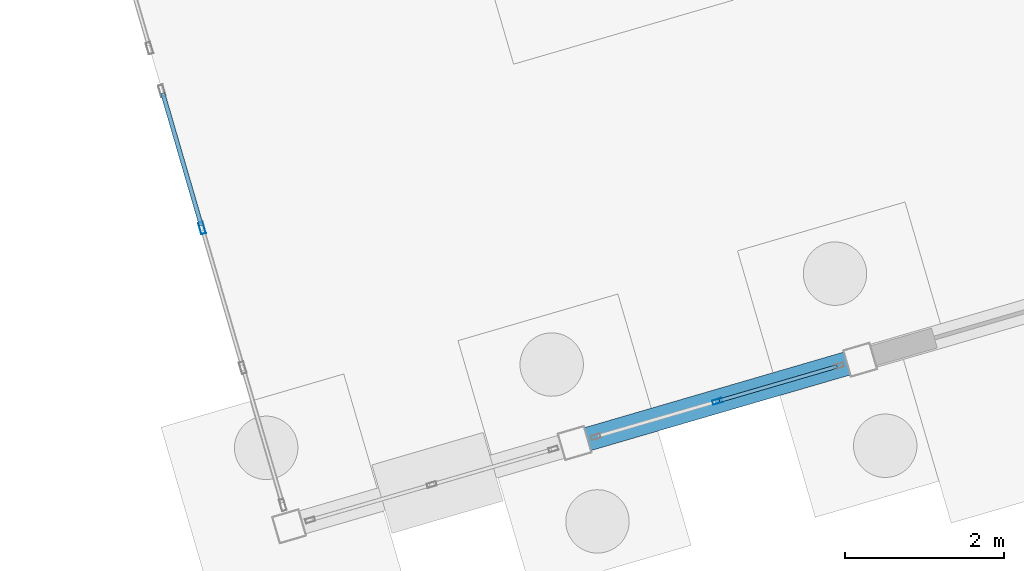
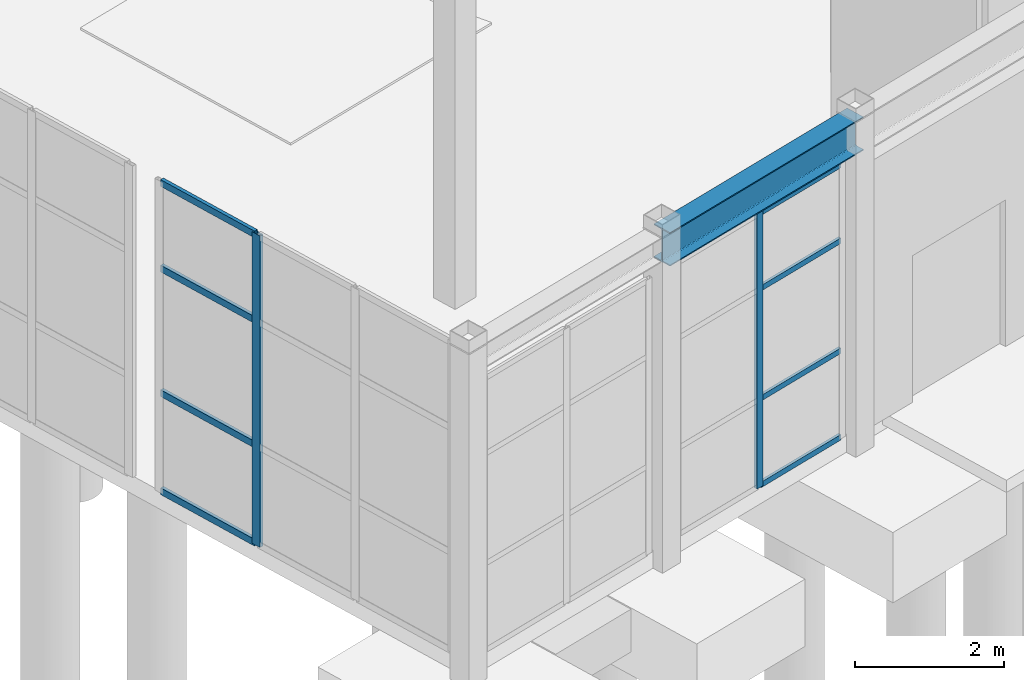
# One storey, part 26 of 90: 10 members, 1 beam, 2 elements without a shape of their own.
"""IFC4 building model written with IfcOpenShell, lengths in metres."""

import ifcopenshell
import ifcopenshell.guid

model = None  # the IFC model being written
_history = None  # IfcOwnerHistory: only IFC2X3 demands one
_inside = {}  # id of a spatial element -> (the spatial element, [elements in it])
_under = {}  # id of a project, library or spatial element -> (it, [spatial elements below it])
_declared = {}  # id of a project -> (the project, [libraries it declares])
_typed = {}  # id of a type object -> (the type object, [elements of that type])
_made_of = {}  # id of a material, layer set ... -> (it, [elements and type objects made of it])


def new_model(schema):
    """Start an empty IFC model of exactly this schema.

    Asked for "IFC4X3", IfcOpenShell would pick the latest addendum, in which some entities
    have other attributes; the version numbers below select the first issue.
    IFC2X3 requires an IfcOwnerHistory on every rooted entity: one is made here for all.
    """
    global model, _history
    if schema == "IFC4X3":
        model = ifcopenshell.file(schema_version=(4, 3, 0, 0))
    else:
        model = ifcopenshell.file(schema=schema)
    _inside.clear()
    _under.clear()
    _declared.clear()
    _typed.clear()
    _made_of.clear()
    _history = None
    if model.schema == "IFC2X3":
        org = make("IfcOrganization", Name="unknown")
        user = make(
            "IfcPersonAndOrganization",
            ThePerson=make("IfcPerson", FamilyName="unknown"),
            TheOrganization=org,
        )
        app = make(
            "IfcApplication",
            ApplicationDeveloper=org,
            Version="unknown",
            ApplicationFullName="unknown",
            ApplicationIdentifier="unknown",
        )
        _history = make(
            "IfcOwnerHistory",
            OwningUser=user,
            OwningApplication=app,
            ChangeAction="ADDED",
            CreationDate=0,
        )
    return model


def make(cls, **values):
    """One entity of the class cls with the attributes given. An attribute that is None is left unset."""
    return model.create_entity(
        cls, **{name: value for name, value in values.items() if value is not None}
    )


def rooted(cls, **values):
    """An entity with a GlobalId (a new one), such as an element, a storey or a relation."""
    return make(cls, GlobalId=ifcopenshell.guid.new(), OwnerHistory=_history, **values)


def si_unit(unit_type, name, prefix=None):
    """IfcSIUnit, for example si_unit("LENGTHUNIT", "METRE", prefix="MILLI")."""
    return make("IfcSIUnit", UnitType=unit_type, Prefix=prefix, Name=name)


def assignment(units):
    """IfcUnitAssignment: the units of a project."""
    return None if units is None else make("IfcUnitAssignment", Units=units)


def point(xyz):
    """IfcCartesianPoint."""
    return None if xyz is None else make("IfcCartesianPoint", Coordinates=xyz)


def direction(xyz):
    """IfcDirection."""
    return None if xyz is None else make("IfcDirection", DirectionRatios=xyz)


def frame(location, z_axis=None, x_axis=None):
    """IfcAxis2Placement3D, a coordinate frame: its origin and axes. An axis left out is left unset."""
    return make(
        "IfcAxis2Placement3D",
        Location=point(location),
        Axis=direction(z_axis),
        RefDirection=direction(x_axis),
    )


def frame_2d(location, x_axis=None):
    """IfcAxis2Placement2D, a coordinate frame in the plane: its origin and x axis."""
    return make(
        "IfcAxis2Placement2D", Location=point(location), RefDirection=direction(x_axis)
    )


def origin():
    """The frame at (0, 0, 0) with its axes left unset."""
    return frame((0.0, 0.0, 0.0))


def origin_2d():
    """The frame at (0, 0) in the plane with its x axis left unset."""
    return frame_2d((0.0, 0.0))


def place(relative_to, where):
    """IfcLocalPlacement: puts the frame where relative to a parent placement (None: the world)."""
    return make(
        "IfcLocalPlacement", PlacementRelTo=relative_to, RelativePlacement=where
    )


def context(
    kind, dimensions, precision=None, world=None, true_north=None, identifier=None
):
    """IfcGeometricRepresentationContext, for example the 3D "Model" context."""
    return make(
        "IfcGeometricRepresentationContext",
        ContextIdentifier=identifier,
        ContextType=kind,
        CoordinateSpaceDimension=dimensions,
        Precision=precision,
        WorldCoordinateSystem=world,
        TrueNorth=true_north,
    )


def subcontext(parent, identifier, kind, view, scale=None):
    """IfcGeometricRepresentationSubContext, for example "Body" below "Model"."""
    return make(
        "IfcGeometricRepresentationSubContext",
        ContextIdentifier=identifier,
        ContextType=kind,
        ParentContext=parent,
        TargetScale=scale,
        TargetView=view,
    )


def project(units=None, contexts=None):
    """IfcProject with its units and contexts."""
    return rooted(
        "IfcProject",
        Name="project",
        RepresentationContexts=contexts,
        UnitsInContext=assignment(units),
    )


def spatial(cls, under=None, at=None, **own):
    """A site, building, storey or space (cls), placed at a placement, below another one or the project."""
    s = rooted(cls, ObjectPlacement=at, **own)
    if under is not None:
        _under.setdefault(under.id(), (under, []))[1].append(s)
    return s


def profile(cls, at=None, kind="AREA", **sizes):
    """A parametric profile (cls). Its sizes go by their IFC names, for example OverallWidth=200.0."""
    return make(cls, ProfileType=kind, Position=at, **sizes)


def hollow_rectangle(**sizes):
    """IfcRectangleHollowProfileDef."""
    return profile("IfcRectangleHollowProfileDef", **sizes)


def i_section(**sizes):
    """IfcIShapeProfileDef."""
    return profile("IfcIShapeProfileDef", **sizes)


def extrude(swept, where, along, depth):
    """IfcExtrudedAreaSolid: the profile swept, set in the frame where, extruded along a direction by depth."""
    return make(
        "IfcExtrudedAreaSolid",
        SweptArea=swept,
        Position=where,
        ExtrudedDirection=direction(along),
        Depth=depth,
    )


def shape(context_of_items, identifier, shape_type, items):
    """IfcShapeRepresentation: the items that make up one representation, for example the "Body"."""
    return make(
        "IfcShapeRepresentation",
        ContextOfItems=context_of_items,
        RepresentationIdentifier=identifier,
        RepresentationType=shape_type,
        Items=items,
    )


def material(Name=None, Category=None):
    """IfcMaterial."""
    return make("IfcMaterial", Name=Name, Category=Category)


def layer(
    of_material, thickness, ventilated=None, Name=None, Category=None, Priority=None
):
    """IfcMaterialLayer: one layer of a wall or slab, of a material (None: an air gap)."""
    return make(
        "IfcMaterialLayer",
        Material=of_material,
        LayerThickness=thickness,
        IsVentilated=ventilated,
        Name=Name,
        Category=Category,
        Priority=Priority,
    )


def layer_set(layers, Name=None):
    """IfcMaterialLayerSet."""
    return make("IfcMaterialLayerSet", MaterialLayers=layers, LayerSetName=Name)


def material_profile(
    of_material, cross_section, Name=None, Category=None, Priority=None
):
    """IfcMaterialProfile: a cross section and its material."""
    return make(
        "IfcMaterialProfile",
        Name=Name,
        Material=of_material,
        Profile=cross_section,
        Priority=Priority,
        Category=Category,
    )


def profile_set(profiles, Name=None, composite=None):
    """IfcMaterialProfileSet."""
    return make(
        "IfcMaterialProfileSet",
        Name=Name,
        MaterialProfiles=profiles,
        CompositeProfile=composite,
    )


def made_of(thing, what):
    """Note that an element or type object is made of a material, layer set ...; save() writes the relation."""
    if what is not None:
        _made_of.setdefault(what.id(), (what, []))[1].append(thing)
    return thing


def type_object(cls, material=None, **own):
    """A type object (cls), such as IfcWallType, which elements share."""
    return made_of(rooted(cls, **own), material)


def element(
    cls,
    number,
    at=None,
    inside=None,
    cuts=None,
    type_object=None,
    material=None,
    context=None,
    identifier="Body",
    shape_type=None,
    held_by="IfcProductDefinitionShape",
    body=None,
    shapes=None,
    **own,
):
    """One element of the class cls, such as IfcWall. Its Tag is "e" and its number.

    at: its placement. inside: the storey or other place that contains it. cuts: it is an
    opening in that element (IfcRelVoidsElement). A single representation is given by context,
    identifier, shape_type and body (its items); several are given by shapes. held_by: the class
    of the entity that holds the representations. save() writes the other relations.
    """
    e = rooted(cls, Tag="e%d" % number, ObjectPlacement=at, **own)
    if body is not None:
        shapes = [shape(context, identifier, shape_type, body)]
    if shapes is not None:
        e.Representation = make(held_by, Representations=shapes)
    if inside is not None:
        _inside.setdefault(inside.id(), (inside, []))[1].append(e)
    if cuts is not None:
        rooted(
            "IfcRelVoidsElement", RelatingBuildingElement=cuts, RelatedOpeningElement=e
        )
    if type_object is not None:
        _typed.setdefault(type_object.id(), (type_object, []))[1].append(e)
    return made_of(e, material)


def aggregate(whole, parts):
    """IfcRelAggregates: a whole, such as a stair, and the parts it consists of."""
    return rooted("IfcRelAggregates", RelatingObject=whole, RelatedObjects=parts)


def save(model, path):
    """Write the relations noted so far, then the file.

    IfcRelAggregates (storeys below a building ...), IfcRelContainedInSpatialStructure (elements
    in a storey), IfcRelDefinesByType, IfcRelAssociatesMaterial and IfcRelDeclares: one each for
    every whole, place, type object, material and project.
    """
    for whole, parts in _under.values():
        aggregate(whole, parts)
    for where, things in _inside.values():
        rooted(
            "IfcRelContainedInSpatialStructure",
            RelatedElements=things,
            RelatingStructure=where,
        )
    for kind, things in _typed.values():
        rooted("IfcRelDefinesByType", RelatedObjects=things, RelatingType=kind)
    for what, things in _made_of.values():
        rooted("IfcRelAssociatesMaterial", RelatedObjects=things, RelatingMaterial=what)
    for by, libraries in _declared.values():
        rooted("IfcRelDeclares", RelatingContext=by, RelatedDefinitions=libraries)
    model.write(path)


model = new_model("IFC4")

# Units and contexts
model_context = context("Model", 3, precision=1e-05, world=origin(), true_north=direction((0.0, 1.0)))
body_context = subcontext(model_context, "Body", "Model", "MODEL_VIEW")
ifc_project = project(units=[si_unit("LENGTHUNIT", "METRE"), si_unit("AREAUNIT", "SQUARE_METRE"), si_unit("VOLUMEUNIT", "CUBIC_METRE"), si_unit("PLANEANGLEUNIT", "RADIAN"), si_unit("MASSUNIT", "GRAM", prefix="KILO")], contexts=[model_context])

# Site, building, storey
site_placement = place(None, origin())
site = spatial("IfcSite", under=ifc_project, at=site_placement, CompositionType="ELEMENT")
building_placement = place(site_placement, origin())
building = spatial("IfcBuilding", under=site, at=building_placement, Name="Canggui Botanical Conservatory", CompositionType="ELEMENT")
storey_placement = place(building_placement, origin())
storey = spatial("IfcBuildingStorey", under=building, at=storey_placement, Name="L01", CompositionType="ELEMENT", Elevation=0.0)

# Beam
ifc_material_1 = material(Name="Steel Q355B", Category="steel")
ifc_material_profile_1 = material_profile(ifc_material_1, i_section(OverallWidth=0.300048828125, OverallDepth=0.550048828125, WebThickness=0.010986328125, FlangeThickness=0.01806640625, FilletRadius=0.02392578125, at=origin_2d()), Name="HM 550x300x11x18")
ifc_profile_set_1 = profile_set([ifc_material_profile_1], Name="Steel Q355B")
beam_type = type_object("IfcBeamType", Name="BM-GL08", PredefinedType="BEAM", material=ifc_profile_set_1)
beam_placement = place(storey_placement, frame((23.60009765625, 43.050048828125, 4.89990234375), z_axis=(0.959993437014, 0.280022500685, 0.0), x_axis=(-0.280022500685, 0.959993437014, 0.0)))
element("IfcBeam", 1, at=beam_placement, inside=storey, type_object=beam_type, Name="Conservatory Skywalk Perimeter Girder V0-02", PredefinedType="BEAM", context=body_context, shape_type="SweptSolid", body=[
    extrude(i_section(OverallWidth=0.300048828125, OverallDepth=0.550048828125, WebThickness=0.010986328125, FlangeThickness=0.01806640625, FilletRadius=0.02392578125, at=origin_2d()), origin(), (0.0, 0.0, 1.0), 3.749755859375),
])

# Curtain wall, member
ifc_material_2 = material(Name="Thermally Broken Aluminium", Category="aluminium")
ifc_layer_1 = layer(ifc_material_2, 0.14990234375, Name="Thermally Broken Aluminium", Category="aluminium")
ifc_layer_set_1 = layer_set([ifc_layer_1], Name="Thermally Broken Aluminium")
curtain_wall_type_1 = type_object("IfcCurtainWallType", Name="CW-UNIT-C", PredefinedType="USERDEFINED", material=ifc_layer_set_1)
curtain_wall_1_placement = place(storey_placement, origin())
curtain_wall_1 = element("IfcCurtainWall", 2, at=curtain_wall_1_placement, inside=storey, type_object=curtain_wall_type_1, Name="Facade Curtain Wall CW-CONS-GABLE-S-01", ObjectType="UNITISED CURTAIN WALL", PredefinedType="USERDEFINED")
ifc_material_profile_2 = material_profile(ifc_material_2, hollow_rectangle(XDim=0.06005859375, YDim=0.14990234375, WallThickness=0.00341796875, at=origin_2d()), Name="CWM 60x150x3.5")
ifc_profile_set_2 = profile_set([ifc_material_profile_2], Name="Thermally Broken Aluminium")
member_type_1 = type_object("IfcMemberType", Name="CWM-03", PredefinedType="MULLION", material=ifc_profile_set_2)
member_1_placement = place(storey_placement, frame((18.9033203125, 45.760009765625, 0.0), z_axis=(0.0, 0.0, 1.0), x_axis=(-0.960000000002, -0.279999999995, 0.0)))
member_1 = element("IfcMember", 3, at=member_1_placement, type_object=member_type_1, Name="CW-03 mullion 3", PredefinedType="MULLION", context=body_context, shape_type="SweptSolid", body=[
    extrude(hollow_rectangle(XDim=0.06005859375, YDim=0.14990234375, WallThickness=0.00341796875, at=origin_2d()), origin(), (0.0, 0.0, 1.0), 5.10009765625),
])

ifc_layer_2 = layer(ifc_material_2, 0.1201171875, Name="Thermally Broken Aluminium", Category="aluminium")
ifc_layer_set_2 = layer_set([ifc_layer_2], Name="Thermally Broken Aluminium")
curtain_wall_type_2 = type_object("IfcCurtainWallType", Name="CW-STICK-B", PredefinedType="USERDEFINED", material=ifc_layer_set_2)
curtain_wall_2_placement = place(storey_placement, origin())
curtain_wall_2 = element("IfcCurtainWall", 4, at=curtain_wall_2_placement, inside=storey, type_object=curtain_wall_type_2, Name="Facade Curtain Wall CW-CONS-L01-V0-02", ObjectType="STICK GLAZED WALL", PredefinedType="USERDEFINED")
ifc_material_profile_3 = material_profile(ifc_material_2, hollow_rectangle(XDim=0.054931640625, YDim=0.1201171875, WallThickness=0.0029296875, at=origin_2d()), Name="CWM 55x120x3")
ifc_profile_set_3 = profile_set([ifc_material_profile_3], Name="Thermally Broken Aluminium")
member_type_2 = type_object("IfcMemberType", Name="CWM-05", PredefinedType="MULLION", material=ifc_profile_set_3)
member_2_placement = place(storey_placement, frame((25.39990234375, 43.574951171875, 0.0), z_axis=(0.0, 0.0, 1.0), x_axis=(0.279999999995, -0.960000000002, 0.0)))
member_2 = element("IfcMember", 5, at=member_2_placement, type_object=member_type_2, Name="CW-05 mullion 2", PredefinedType="MULLION", context=body_context, shape_type="SweptSolid", body=[
    extrude(hollow_rectangle(XDim=0.054931640625, YDim=0.1201171875, WallThickness=0.0029296875, at=origin_2d()), origin(), (0.0, 0.0, 1.0), 4.5),
])

# Member
ifc_material_profile_4 = material_profile(ifc_material_2, hollow_rectangle(XDim=0.054931640625, YDim=0.110107421875, WallThickness=0.0029296875, at=origin_2d()), Name="CWT 55x110x3")
ifc_profile_set_4 = profile_set([ifc_material_profile_4], Name="Thermally Broken Aluminium")
member_type_3 = type_object("IfcMemberType", Name="CWT-03", PredefinedType="USERDEFINED", material=ifc_profile_set_4)
member_3_placement = place(storey_placement, frame((18.89501953125, 45.788818359375, 0.027587890625), z_axis=(-0.280080662242, 0.959976469836, 0.0), x_axis=(-0.959976469836, -0.280080662242, 0.0)))
member_3 = element("IfcMember", 6, at=member_3_placement, type_object=member_type_3, Name="CW-03 transom 3.1", ObjectType="TRANSOM", PredefinedType="USERDEFINED", context=body_context, shape_type="SweptSolid", body=[
    extrude(hollow_rectangle(XDim=0.054931640625, YDim=0.110107421875, WallThickness=0.0029296875, at=origin_2d()), origin(), (0.0, 0.0, 1.0), 1.743408203125),
])

member_4_placement = place(storey_placement, frame((18.89501953125, 45.788818359375, 1.632080078125), z_axis=(-0.280080662242, 0.959976469836, 0.0), x_axis=(-0.959976469836, -0.280080662242, 0.0)))
member_4 = element("IfcMember", 7, at=member_4_placement, type_object=member_type_3, Name="CW-03 transom 3.2", ObjectType="TRANSOM", PredefinedType="USERDEFINED", context=body_context, shape_type="SweptSolid", body=[
    extrude(hollow_rectangle(XDim=0.054931640625, YDim=0.110107421875, WallThickness=0.0029296875, at=origin_2d()), origin(), (0.0, 0.0, 1.0), 1.743408203125),
])

member_5_placement = place(storey_placement, frame((18.89501953125, 45.788818359375, 3.672119140625), z_axis=(-0.280080662242, 0.959976469836, 0.0), x_axis=(-0.959976469836, -0.280080662242, 0.0)))
member_5 = element("IfcMember", 8, at=member_5_placement, type_object=member_type_3, Name="CW-03 transom 3.3", ObjectType="TRANSOM", PredefinedType="USERDEFINED", context=body_context, shape_type="SweptSolid", body=[
    extrude(hollow_rectangle(XDim=0.054931640625, YDim=0.110107421875, WallThickness=0.0029296875, at=origin_2d()), origin(), (0.0, 0.0, 1.0), 1.743408203125),
])

member_6_placement = place(storey_placement, frame((18.89501953125, 45.788818359375, 5.072509765625), z_axis=(-0.280080662242, 0.959976469836, 0.0), x_axis=(-0.959976469836, -0.280080662242, 0.0)))
member_6 = element("IfcMember", 9, at=member_6_placement, type_object=member_type_3, Name="CW-03 transom 3.4", ObjectType="TRANSOM", PredefinedType="USERDEFINED", context=body_context, shape_type="SweptSolid", body=[
    extrude(hollow_rectangle(XDim=0.054931640625, YDim=0.110107421875, WallThickness=0.0029296875, at=origin_2d()), origin(), (0.0, 0.0, 1.0), 1.743408203125),
])

aggregate(curtain_wall_1, [member_1, member_3, member_4, member_5, member_6])

ifc_material_profile_5 = material_profile(ifc_material_2, hollow_rectangle(XDim=0.044921875, YDim=0.090087890625, WallThickness=0.0029296875, at=origin_2d()), Name="CWT 45x90x3")
ifc_profile_set_5 = profile_set([ifc_material_profile_5], Name="Thermally Broken Aluminium")
member_type_4 = type_object("IfcMemberType", Name="CWT-05", PredefinedType="USERDEFINED", material=ifc_profile_set_5)
member_7_placement = place(storey_placement, frame((26.9072265625, 44.0146484375, 0.0224609375), z_axis=(-0.959998227189, -0.280006078137, 0.0), x_axis=(0.280006078137, -0.959998227189, 0.0)))
member_7 = element("IfcMember", 10, at=member_7_placement, type_object=member_type_4, Name="CW-05 transom 1.1", ObjectType="TRANSOM", PredefinedType="USERDEFINED", context=body_context, shape_type="SweptSolid", body=[
    extrude(hollow_rectangle(XDim=0.044921875, YDim=0.090087890625, WallThickness=0.0029296875, at=origin_2d()), origin(), (0.0, 0.0, 1.0), 1.54248046875),
])

member_8_placement = place(storey_placement, frame((26.9072265625, 44.0146484375, 1.43994140625), z_axis=(-0.959998227189, -0.280006078137, 0.0), x_axis=(0.280006078137, -0.959998227189, 0.0)))
member_8 = element("IfcMember", 11, at=member_8_placement, type_object=member_type_4, Name="CW-05 transom 1.2", ObjectType="TRANSOM", PredefinedType="USERDEFINED", context=body_context, shape_type="SweptSolid", body=[
    extrude(hollow_rectangle(XDim=0.044921875, YDim=0.090087890625, WallThickness=0.0029296875, at=origin_2d()), origin(), (0.0, 0.0, 1.0), 1.54248046875),
])

member_9_placement = place(storey_placement, frame((26.9072265625, 44.0146484375, 3.239990234375), z_axis=(-0.959998227189, -0.280006078137, 0.0), x_axis=(0.280006078137, -0.959998227189, 0.0)))
member_9 = element("IfcMember", 12, at=member_9_placement, type_object=member_type_4, Name="CW-05 transom 1.3", ObjectType="TRANSOM", PredefinedType="USERDEFINED", context=body_context, shape_type="SweptSolid", body=[
    extrude(hollow_rectangle(XDim=0.044921875, YDim=0.090087890625, WallThickness=0.0029296875, at=origin_2d()), origin(), (0.0, 0.0, 1.0), 1.54248046875),
])

member_10_placement = place(storey_placement, frame((26.9072265625, 44.0146484375, 4.4775390625), z_axis=(-0.959998227189, -0.280006078137, 0.0), x_axis=(0.280006078137, -0.959998227189, 0.0)))
member_10 = element("IfcMember", 13, at=member_10_placement, type_object=member_type_4, Name="CW-05 transom 1.4", ObjectType="TRANSOM", PredefinedType="USERDEFINED", context=body_context, shape_type="SweptSolid", body=[
    extrude(hollow_rectangle(XDim=0.044921875, YDim=0.090087890625, WallThickness=0.0029296875, at=origin_2d()), origin(), (0.0, 0.0, 1.0), 1.54248046875),
])

aggregate(curtain_wall_2, [member_2, member_7, member_8, member_9, member_10])

save(model, "model.ifc")
